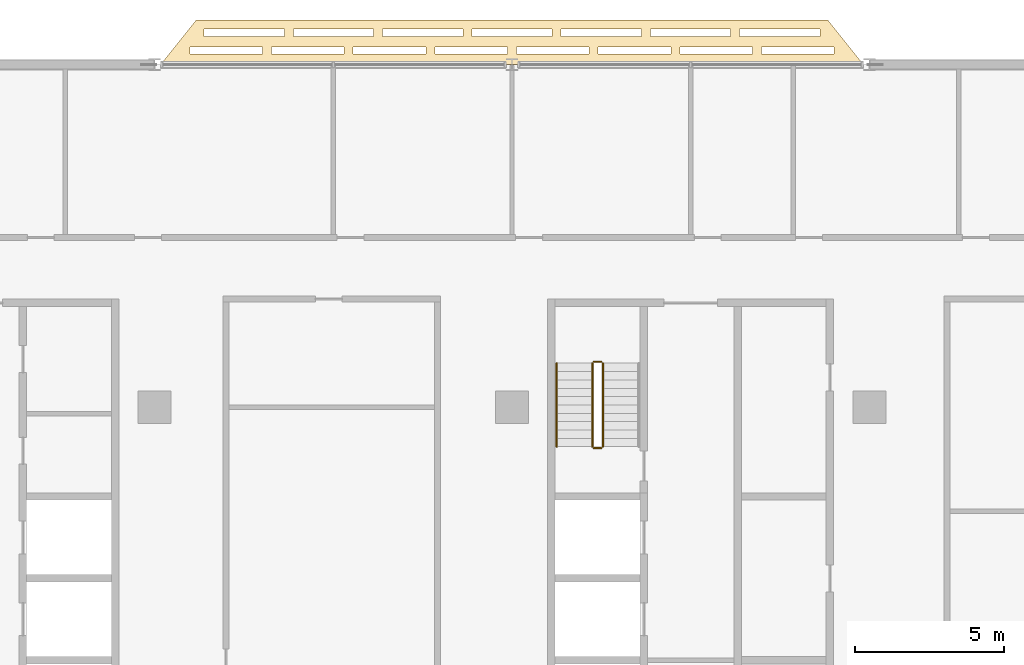
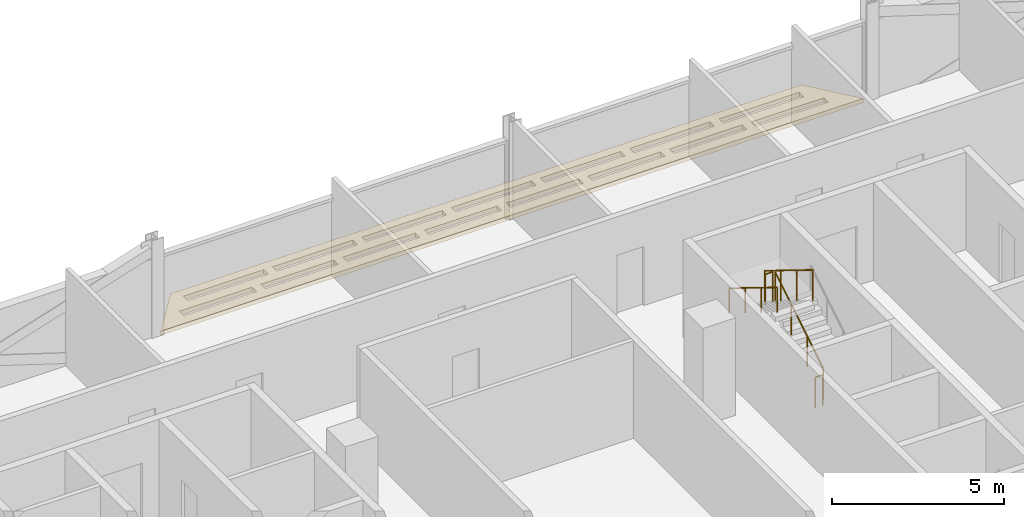
# One storey, part 28 of 30: 5 railings, 1 covering.
"""IFC4 building model written with IfcOpenShell, lengths in metres."""

from ifc_helpers import new_model, si_unit, direction, frame, origin, origin_2d, place, context, subcontext, project, spatial, polyline, circle, outline, extrude, material, layer, layer_set, type_object, element, save


model = new_model("IFC4")

# Units and contexts
model_context = context("Model", 3, precision=1e-05, world=origin(), true_north=direction((0.0, 1.0)))
body_context = subcontext(model_context, "Body", "Model", "MODEL_VIEW")
ifc_project = project(units=[si_unit("LENGTHUNIT", "METRE"), si_unit("AREAUNIT", "SQUARE_METRE"), si_unit("VOLUMEUNIT", "CUBIC_METRE"), si_unit("PLANEANGLEUNIT", "RADIAN"), si_unit("MASSUNIT", "GRAM", prefix="KILO")], contexts=[model_context])

# Site, building, storey
site_placement = place(None, origin())
site = spatial("IfcSite", under=ifc_project, at=site_placement, CompositionType="ELEMENT")
building_placement = place(site_placement, origin())
building = spatial("IfcBuilding", under=site, at=building_placement, Name="Mahtab Terrace Research Tower", CompositionType="ELEMENT")
storey_placement = place(building_placement, frame((0.0, 0.0, 212.89990234375)))
storey = spatial("IfcBuildingStorey", under=building, at=storey_placement, Name="L51", CompositionType="ELEMENT", Elevation=212.89990234375)

# Covering
ifc_material_1 = material(Name="Black anodised aluminium", Category="aluminium")
ifc_layer = layer(ifc_material_1, 0.14990234375)
ifc_layer_set = layer_set([ifc_layer], Name="Horizontal sunshade band")
covering_type = type_object("IfcCoveringType", Name="Horizontal sunshade band", PredefinedType="CLADDING", material=ifc_layer_set)
covering_placement = place(storey_placement, frame((0.0, 0.0, -0.14990234375)))
element("IfcCovering", 1, at=covering_placement, inside=storey, type_object=covering_type, Name="Sunshade band L51 5", PredefinedType="CLADDING", context=body_context, shape_type="SweptSolid", body=[
    extrude(outline(polyline([(29.800048828125, 23.0), (6.199951171875, 23.0), (7.39990234375, 24.5), (28.60009765625, 24.5), (29.800048828125, 23.0)]), holes=[polyline([(28.820068359375, 23.35009765625), (26.3779296875, 23.35009765625), (26.3779296875, 23.60009765625), (28.820068359375, 23.60009765625), (28.820068359375, 23.35009765625)]), polyline([(26.077880859375, 23.35009765625), (23.635009765625, 23.35009765625), (23.635009765625, 23.60009765625), (26.077880859375, 23.60009765625), (26.077880859375, 23.35009765625)]), polyline([(23.3349609375, 23.35009765625), (20.89306640625, 23.35009765625), (20.89306640625, 23.60009765625), (23.3349609375, 23.60009765625), (23.3349609375, 23.35009765625)]), polyline([(20.593017578125, 23.35009765625), (18.14990234375, 23.35009765625), (18.14990234375, 23.60009765625), (20.593017578125, 23.60009765625), (20.593017578125, 23.35009765625)]), polyline([(17.85009765625, 23.35009765625), (15.406982421875, 23.35009765625), (15.406982421875, 23.60009765625), (17.85009765625, 23.60009765625), (17.85009765625, 23.35009765625)]), polyline([(15.10791015625, 23.35009765625), (12.6650390625, 23.35009765625), (12.6650390625, 23.60009765625), (15.10791015625, 23.60009765625), (15.10791015625, 23.35009765625)]), polyline([(12.364990234375, 23.35009765625), (9.922119140625, 23.35009765625), (9.922119140625, 23.60009765625), (12.364990234375, 23.60009765625), (12.364990234375, 23.35009765625)]), polyline([(9.623046875, 23.35009765625), (7.179931640625, 23.35009765625), (7.179931640625, 23.60009765625), (9.623046875, 23.60009765625), (9.623046875, 23.35009765625)]), polyline([(28.340087890625, 23.949951171875), (25.64306640625, 23.949951171875), (25.64306640625, 24.199951171875), (28.340087890625, 24.199951171875), (28.340087890625, 23.949951171875)]), polyline([(25.343017578125, 23.949951171875), (22.64599609375, 23.949951171875), (22.64599609375, 24.199951171875), (25.343017578125, 24.199951171875), (25.343017578125, 23.949951171875)]), polyline([(22.345947265625, 23.949951171875), (19.64892578125, 23.949951171875), (19.64892578125, 24.199951171875), (22.345947265625, 24.199951171875), (22.345947265625, 23.949951171875)]), polyline([(19.34912109375, 23.949951171875), (16.65087890625, 23.949951171875), (16.65087890625, 24.199951171875), (19.34912109375, 24.199951171875), (19.34912109375, 23.949951171875)]), polyline([(16.35107421875, 23.949951171875), (13.654052734375, 23.949951171875), (13.654052734375, 24.199951171875), (16.35107421875, 24.199951171875), (16.35107421875, 23.949951171875)]), polyline([(13.35400390625, 23.949951171875), (10.656982421875, 23.949951171875), (10.656982421875, 24.199951171875), (13.35400390625, 24.199951171875), (13.35400390625, 23.949951171875)]), polyline([(10.35693359375, 23.949951171875), (7.659912109375, 23.949951171875), (7.659912109375, 24.199951171875), (10.35693359375, 24.199951171875), (10.35693359375, 23.949951171875)])]), origin(), (0.0, 0.0, 1.0), 0.14990234375),
])

# Railings
ifc_material_2 = material(Name="Stainless steel AISI 304", Category="steel")
railing_type_1 = type_object("IfcRailingType", Name="Stair guard 1100", PredefinedType="GUARDRAIL", material=ifc_material_2)
railing_1_placement = place(storey_placement, frame((21.050048828125, 10.175048828125, 0.1728515625)))
element("IfcRailing", 2, at=railing_1_placement, inside=storey, type_object=railing_type_1, Name="L51 ST3 stair guard 1", PredefinedType="GUARDRAIL", context=body_context, shape_type="SweptSolid", body=[
    extrude(circle(Radius=0.02392578125, at=origin_2d()), frame((0.0, 0.0, 1.076171875), z_axis=(0.0, 0.851089632645, 0.525020415988), x_axis=(-1.0, 0.0, 0.0)), (0.0, 0.0, 1.0), 3.2900390625),
    extrude(circle(Radius=0.02099609375, at=origin_2d()), origin(), (0.0, 0.0, 1.0), 1.052001953125),
    extrude(circle(Radius=0.02099609375, at=origin_2d()), frame((0.0, 0.933349609375, 0.57568359375)), (0.0, 0.0, 1.0), 1.052001953125),
    extrude(circle(Radius=0.02099609375, at=origin_2d()), frame((0.0, 1.86669921875, 1.151611328125)), (0.0, 0.0, 1.0), 1.052001953125),
    extrude(circle(Radius=0.02099609375, at=origin_2d()), frame((0.0, 2.800048828125, 1.727294921875)), (0.0, 0.0, 1.0), 1.052001953125),
])
railing_2_placement = place(storey_placement, frame((21.0, 13.02490234375, 1.900146484375)))
element("IfcRailing", 3, at=railing_2_placement, inside=storey, type_object=railing_type_1, Name="L51 ST3 stair guard 2", PredefinedType="GUARDRAIL", context=body_context, shape_type="SweptSolid", body=[
    extrude(circle(Radius=0.02392578125, at=origin_2d()), frame((0.0, 0.0, 1.076171875), z_axis=(-1.0, 0.0, 0.0), x_axis=(0.0, -1.0, 0.0)), (0.0, 0.0, 1.0), 0.25),
    extrude(circle(Radius=0.02099609375, at=origin_2d()), origin(), (0.0, 0.0, 1.0), 1.052001953125),
    extrude(circle(Radius=0.02099609375, at=origin_2d()), frame((-0.25, 0.0, 0.0)), (0.0, 0.0, 1.0), 1.052001953125),
])
railing_3_placement = place(storey_placement, frame((20.699951171875, 12.97509765625, 2.07275390625)))
element("IfcRailing", 4, at=railing_3_placement, inside=storey, type_object=railing_type_1, Name="L51 ST3 stair guard 3", PredefinedType="GUARDRAIL", context=body_context, shape_type="SweptSolid", body=[
    extrude(circle(Radius=0.02392578125, at=origin_2d()), frame((0.0, 0.0, 1.076171875), z_axis=(0.0, -0.851089632645, 0.525020415988), x_axis=(1.0, 0.0, 0.0)), (0.0, 0.0, 1.0), 3.2900390625),
    extrude(circle(Radius=0.02099609375, at=origin_2d()), origin(), (0.0, 0.0, 1.0), 1.052001953125),
    extrude(circle(Radius=0.02099609375, at=origin_2d()), frame((0.0, -0.933349609375, 0.57568359375)), (0.0, 0.0, 1.0), 1.052001953125),
    extrude(circle(Radius=0.02099609375, at=origin_2d()), frame((0.0, -1.86669921875, 1.151611328125)), (0.0, 0.0, 1.0), 1.052001953125),
    extrude(circle(Radius=0.02099609375, at=origin_2d()), frame((0.0, -2.800048828125, 1.727294921875)), (0.0, 0.0, 1.0), 1.052001953125),
])
railing_4_placement = place(storey_placement, frame((21.0, 10.125, 0.0)))
element("IfcRailing", 5, at=railing_4_placement, inside=storey, type_object=railing_type_1, Name="L51 ST3 stair guard 4", PredefinedType="GUARDRAIL", context=body_context, shape_type="SweptSolid", body=[
    extrude(circle(Radius=0.02392578125, at=origin_2d()), frame((0.0, 0.0, 1.076171875), z_axis=(-1.0, 0.0, 0.0), x_axis=(0.0, -1.0, 0.0)), (0.0, 0.0, 1.0), 0.25),
    extrude(circle(Radius=0.02099609375, at=origin_2d()), origin(), (0.0, 0.0, 1.0), 1.052001953125),
    extrude(circle(Radius=0.02099609375, at=origin_2d()), frame((-0.25, 0.0, 0.0)), (0.0, 0.0, 1.0), 1.052001953125),
])
railing_type_2 = type_object("IfcRailingType", Name="Stair handrail 900", PredefinedType="HANDRAIL", material=ifc_material_2)
railing_5_placement = place(storey_placement, frame((19.5, 12.97509765625, 2.07275390625)))
element("IfcRailing", 6, at=railing_5_placement, inside=storey, type_object=railing_type_2, Name="L51 ST3 stair handrail 2", PredefinedType="HANDRAIL", context=body_context, shape_type="SweptSolid", body=[
    extrude(circle(Radius=0.02392578125, at=origin_2d()), frame((0.0, 0.0, 0.8759765625), z_axis=(0.0, -0.851089632645, 0.525020415988), x_axis=(1.0, 0.0, 0.0)), (0.0, 0.0, 1.0), 3.2900390625),
    extrude(circle(Radius=0.02099609375, at=origin_2d()), origin(), (0.0, 0.0, 1.0), 0.851806640625),
    extrude(circle(Radius=0.02099609375, at=origin_2d()), frame((0.0, -0.933349609375, 0.57568359375)), (0.0, 0.0, 1.0), 0.851806640625),
    extrude(circle(Radius=0.02099609375, at=origin_2d()), frame((0.0, -1.86669921875, 1.151611328125)), (0.0, 0.0, 1.0), 0.851806640625),
    extrude(circle(Radius=0.02099609375, at=origin_2d()), frame((0.0, -2.800048828125, 1.727294921875)), (0.0, 0.0, 1.0), 0.851806640625),
])

save(model, "model.ifc")
